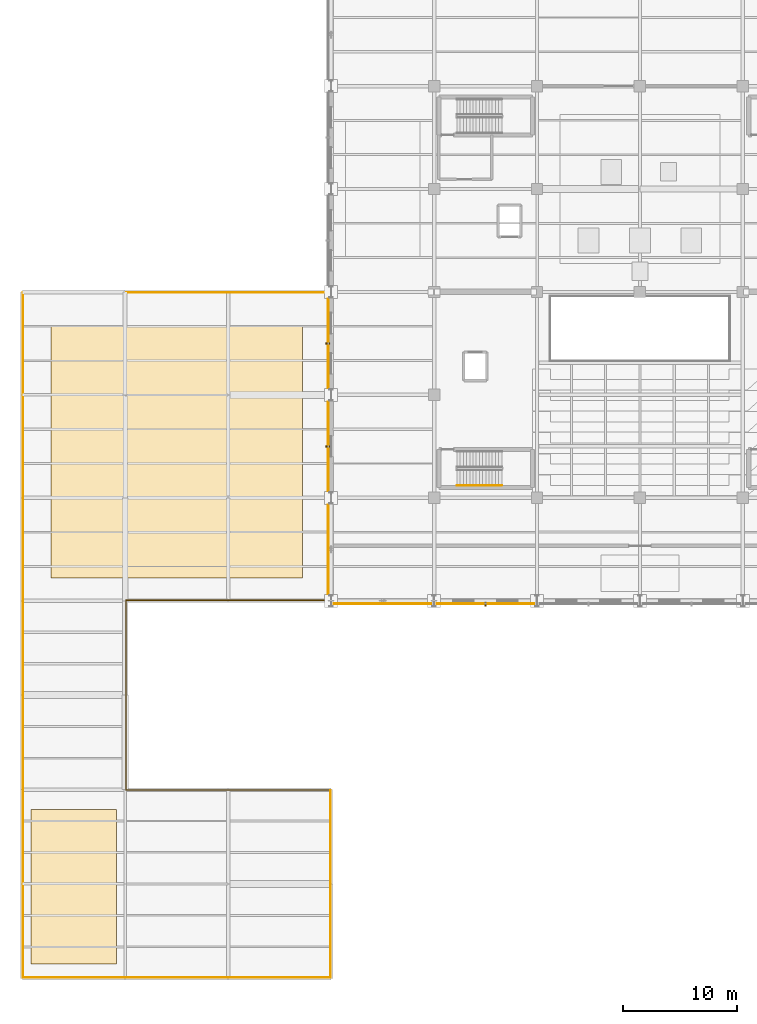
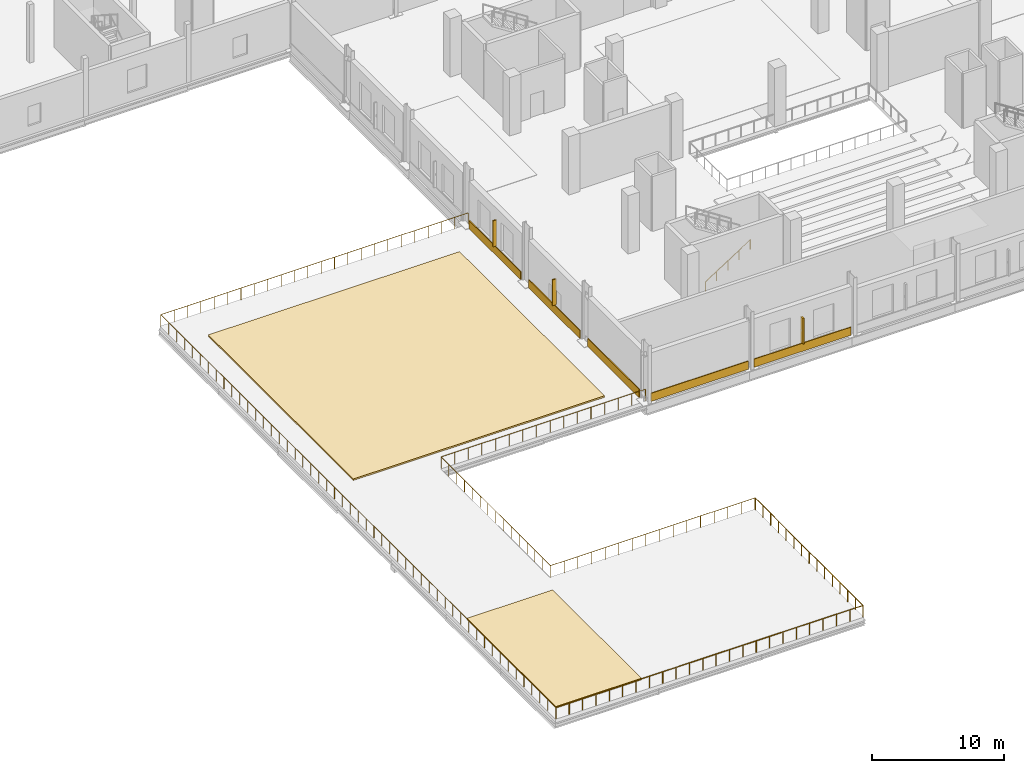
# One storey, part 129 of 141: 7 coverings, 4 railings, 3 shading devices.
"""IFC4 building model written with IfcOpenShell, lengths in metres."""

from ifc_helpers import new_model, si_unit, direction, frame, origin, origin_2d, place, context, subcontext, project, spatial, rectangle, circle, extrude, material, layer, layer_set, type_object, element, save


model = new_model("IFC4")

# Units and contexts
model_context = context("Model", 3, precision=1e-05, world=origin(), true_north=direction((0.0, 1.0)))
body_context = subcontext(model_context, "Body", "Model", "MODEL_VIEW")
ifc_project = project(units=[si_unit("LENGTHUNIT", "METRE"), si_unit("AREAUNIT", "SQUARE_METRE"), si_unit("VOLUMEUNIT", "CUBIC_METRE"), si_unit("PLANEANGLEUNIT", "RADIAN"), si_unit("MASSUNIT", "GRAM", prefix="KILO")], contexts=[model_context])

# Site, building, storey
site_placement = place(None, origin())
site = spatial("IfcSite", under=ifc_project, at=site_placement, CompositionType="ELEMENT")
building_placement = place(site_placement, origin())
building = spatial("IfcBuilding", under=site, at=building_placement, Name="Sundgate Opera House", CompositionType="ELEMENT")
storey_placement = place(building_placement, frame((0.0, 0.0, 11.39990234375)))
storey = spatial("IfcBuildingStorey", under=building, at=storey_placement, Name="L02", CompositionType="ELEMENT", Elevation=11.39990234375)

# Coverings
ifc_material_1 = material(Name="Intensive sedum green roof substrate and membrane", Category="masonry")
ifc_layer_1 = layer(ifc_material_1, 0.139892578125)
ifc_layer_set_1 = layer_set([ifc_layer_1], Name="Intensive sedum green roof substrate and membrane")
covering_type_1 = type_object("IfcCoveringType", Name="CV-ROOF-SEDUM", PredefinedType="ROOFING", material=ifc_layer_set_1)
covering_1_placement = place(storey_placement, frame((4.5, 8.0, 0.0), z_axis=(0.0, 0.0, 1.0), x_axis=(1.0, 0.0, 0.0)))
element("IfcCovering", 1, at=covering_1_placement, inside=storey, type_object=covering_type_1, Name="L02 Roof Covering CV0118", PredefinedType="ROOFING", context=body_context, shape_type="SweptSolid", body=[
    extrude(rectangle(XDim=7.5, YDim=13.5, at=origin_2d()), origin(), (0.0, 0.0, 1.0), 0.139892578125),
])
covering_2_placement = place(storey_placement, frame((13.5, 46.0, 0.0), z_axis=(0.0, 0.0, 1.0), x_axis=(1.0, 0.0, 0.0)))
element("IfcCovering", 2, at=covering_2_placement, inside=storey, type_object=covering_type_1, Name="L02 Roof Covering CV0119", PredefinedType="ROOFING", context=body_context, shape_type="SweptSolid", body=[
    extrude(rectangle(XDim=22.0, YDim=22.0, at=origin_2d()), origin(), (0.0, 0.0, 1.0), 0.139892578125),
])
ifc_material_2 = material(Name="Deep-carved Komstad limestone relief panel", Category="masonry")
ifc_layer_2 = layer(ifc_material_2, 0.094970703125)
ifc_layer_set_2 = layer_set([ifc_layer_2], Name="Deep-carved Komstad limestone relief panel")
covering_type_2 = type_object("IfcCoveringType", Name="CV-TRENC-DEEP", PredefinedType="CLADDING", material=ifc_layer_set_2)
covering_3_placement = place(storey_placement, frame((40.5, 32.742431640625, 0.045166015625), z_axis=(0.0, 0.0, 1.0), x_axis=(1.0, 0.0, 0.0)))
element("IfcCovering", 3, at=covering_3_placement, inside=storey, type_object=covering_type_2, Name="L02 Trencadis 750mm Relief Band CV0003", PredefinedType="CLADDING", context=body_context, shape_type="SweptSolid", body=[
    extrude(rectangle(XDim=8.510009765625, YDim=0.074951171875, at=origin_2d()), origin(), (0.0, 0.0, 1.0), 0.75),
])
covering_4_placement = place(storey_placement, frame((26.742431640625, 46.5, 0.045166015625), z_axis=(0.0, 0.0, 1.0), x_axis=(0.0, 1.0, 0.0)))
element("IfcCovering", 4, at=covering_4_placement, inside=storey, type_object=covering_type_2, Name="L02 Trencadis 750mm Relief Band CV0015", PredefinedType="CLADDING", context=body_context, shape_type="SweptSolid", body=[
    extrude(rectangle(XDim=7.81005859375, YDim=0.074951171875, at=origin_2d()), origin(), (0.0, 0.0, 1.0), 0.75),
])
ifc_material_3 = material(Name="Frost-proof vitrified stoneware trencadis relief tile", Category="masonry")
ifc_layer_3 = layer(ifc_material_3, 0.074951171875)
ifc_layer_set_3 = layer_set([ifc_layer_3], Name="Frost-proof vitrified stoneware trencadis relief tile")
covering_type_3 = type_object("IfcCoveringType", Name="CV-TRENC-RELIEF", PredefinedType="CLADDING", material=ifc_layer_set_3)
covering_5_placement = place(storey_placement, frame((31.5, 32.742431640625, 0.045166015625), z_axis=(0.0, 0.0, 1.0), x_axis=(1.0, 0.0, 0.0)))
element("IfcCovering", 5, at=covering_5_placement, inside=storey, type_object=covering_type_3, Name="L02 Trencadis 750mm Relief Band CV0001", PredefinedType="CLADDING", context=body_context, shape_type="SweptSolid", body=[
    extrude(rectangle(XDim=8.510009765625, YDim=0.074951171875, at=origin_2d()), origin(), (0.0, 0.0, 1.0), 0.75),
])
covering_6_placement = place(storey_placement, frame((26.742431640625, 37.5, 0.045166015625), z_axis=(0.0, 0.0, 1.0), x_axis=(0.0, 1.0, 0.0)))
element("IfcCovering", 6, at=covering_6_placement, inside=storey, type_object=covering_type_3, Name="L02 Trencadis 750mm Relief Band CV0013", PredefinedType="CLADDING", context=body_context, shape_type="SweptSolid", body=[
    extrude(rectangle(XDim=7.81005859375, YDim=0.074951171875, at=origin_2d()), origin(), (0.0, 0.0, 1.0), 0.75),
])
ifc_material_4 = material(Name="Polychrome trencadis mosaic panel", Category="masonry")
ifc_layer_4 = layer(ifc_material_4, 0.054931640625)
ifc_layer_set_4 = layer_set([ifc_layer_4], Name="Polychrome trencadis mosaic panel")
covering_type_4 = type_object("IfcCoveringType", Name="CV-TRENC-SLIM", PredefinedType="CLADDING", material=ifc_layer_set_4)
covering_7_placement = place(storey_placement, frame((26.742431640625, 55.5, 0.045166015625), z_axis=(0.0, 0.0, 1.0), x_axis=(0.0, 1.0, 0.0)))
element("IfcCovering", 7, at=covering_7_placement, inside=storey, type_object=covering_type_4, Name="L02 Trencadis 750mm Relief Band CV0017", PredefinedType="CLADDING", context=body_context, shape_type="SweptSolid", body=[
    extrude(rectangle(XDim=7.81005859375, YDim=0.074951171875, at=origin_2d()), origin(), (0.0, 0.0, 1.0), 0.75),
])

# Railings
ifc_material_5 = material(Name="Patinated bronze forja metalwork", Category="steel")
railing_type_1 = type_object("IfcRailingType", Name="RL-FORJA-BAL-1100", PredefinedType="BALUSTRADE", material=ifc_material_5)
railing_1_placement = place(storey_placement, frame((26.949951171875, 33.050048828125, 0.0)))
element("IfcRailing", 8, at=railing_1_placement, inside=storey, type_object=railing_type_1, Name="L02 Harbour Terrace Forja Balustrade RL0001", PredefinedType="BALUSTRADE", context=body_context, shape_type="SweptSolid", body=[
    extrude(circle(Radius=0.02392578125, at=origin_2d()), frame((0.0, 0.0, 1.076171875), z_axis=(-1.0, 0.0, 0.0), x_axis=(0.0, -1.0, 0.0)), (0.0, 0.0, 1.0), 17.89990234375),
    extrude(circle(Radius=0.02392578125, at=origin_2d()), frame((-17.89990234375, 0.0, 1.076171875), z_axis=(0.0, -1.0, 0.0), x_axis=(1.0, 0.0, 0.0)), (0.0, 0.0, 1.0), 16.60009765625),
    extrude(circle(Radius=0.02392578125, at=origin_2d()), frame((-17.89990234375, -16.60009765625, 1.076171875), z_axis=(1.0, 0.0, 0.0), x_axis=(0.0, 1.0, 0.0)), (0.0, 0.0, 1.0), 17.89990234375),
    extrude(circle(Radius=0.02099609375, at=origin_2d()), origin(), (0.0, 0.0, 1.0), 1.052001953125),
    extrude(circle(Radius=0.02099609375, at=origin_2d()), frame((-1.193359375, 0.0, 0.0)), (0.0, 0.0, 1.0), 1.052001953125),
    extrude(circle(Radius=0.02099609375, at=origin_2d()), frame((-2.38671875, 0.0, 0.0)), (0.0, 0.0, 1.0), 1.052001953125),
    extrude(circle(Radius=0.02099609375, at=origin_2d()), frame((-3.580078125, 0.0, 0.0)), (0.0, 0.0, 1.0), 1.052001953125),
    extrude(circle(Radius=0.02099609375, at=origin_2d()), frame((-4.773193359375, 0.0, 0.0)), (0.0, 0.0, 1.0), 1.052001953125),
    extrude(circle(Radius=0.02099609375, at=origin_2d()), frame((-5.966552734375, 0.0, 0.0)), (0.0, 0.0, 1.0), 1.052001953125),
    extrude(circle(Radius=0.02099609375, at=origin_2d()), frame((-7.159912109375, 0.0, 0.0)), (0.0, 0.0, 1.0), 1.052001953125),
    extrude(circle(Radius=0.02099609375, at=origin_2d()), frame((-8.353271484375, 0.0, 0.0)), (0.0, 0.0, 1.0), 1.052001953125),
    extrude(circle(Radius=0.02099609375, at=origin_2d()), frame((-9.546630859375, 0.0, 0.0)), (0.0, 0.0, 1.0), 1.052001953125),
    extrude(circle(Radius=0.02099609375, at=origin_2d()), frame((-10.739990234375, 0.0, 0.0)), (0.0, 0.0, 1.0), 1.052001953125),
    extrude(circle(Radius=0.02099609375, at=origin_2d()), frame((-11.933349609375, 0.0, 0.0)), (0.0, 0.0, 1.0), 1.052001953125),
    extrude(circle(Radius=0.02099609375, at=origin_2d()), frame((-13.126708984375, 0.0, 0.0)), (0.0, 0.0, 1.0), 1.052001953125),
    extrude(circle(Radius=0.02099609375, at=origin_2d()), frame((-14.31982421875, 0.0, 0.0)), (0.0, 0.0, 1.0), 1.052001953125),
    extrude(circle(Radius=0.02099609375, at=origin_2d()), frame((-15.51318359375, 0.0, 0.0)), (0.0, 0.0, 1.0), 1.052001953125),
    extrude(circle(Radius=0.02099609375, at=origin_2d()), frame((-16.70654296875, 0.0, 0.0)), (0.0, 0.0, 1.0), 1.052001953125),
    extrude(circle(Radius=0.02099609375, at=origin_2d()), frame((-17.89990234375, 0.0, 0.0)), (0.0, 0.0, 1.0), 1.052001953125),
    extrude(circle(Radius=0.02099609375, at=origin_2d()), frame((-17.89990234375, -1.185791015625, 0.0)), (0.0, 0.0, 1.0), 1.052001953125),
    extrude(circle(Radius=0.02099609375, at=origin_2d()), frame((-17.89990234375, -2.371337890625, 0.0)), (0.0, 0.0, 1.0), 1.052001953125),
    extrude(circle(Radius=0.02099609375, at=origin_2d()), frame((-17.89990234375, -3.55712890625, 0.0)), (0.0, 0.0, 1.0), 1.052001953125),
    extrude(circle(Radius=0.02099609375, at=origin_2d()), frame((-17.89990234375, -4.742919921875, 0.0)), (0.0, 0.0, 1.0), 1.052001953125),
    extrude(circle(Radius=0.02099609375, at=origin_2d()), frame((-17.89990234375, -5.9287109375, 0.0)), (0.0, 0.0, 1.0), 1.052001953125),
    extrude(circle(Radius=0.02099609375, at=origin_2d()), frame((-17.89990234375, -7.1142578125, 0.0)), (0.0, 0.0, 1.0), 1.052001953125),
    extrude(circle(Radius=0.02099609375, at=origin_2d()), frame((-17.89990234375, -8.300048828125, 0.0)), (0.0, 0.0, 1.0), 1.052001953125),
    extrude(circle(Radius=0.02099609375, at=origin_2d()), frame((-17.89990234375, -9.48583984375, 0.0)), (0.0, 0.0, 1.0), 1.052001953125),
    extrude(circle(Radius=0.02099609375, at=origin_2d()), frame((-17.89990234375, -10.67138671875, 0.0)), (0.0, 0.0, 1.0), 1.052001953125),
    extrude(circle(Radius=0.02099609375, at=origin_2d()), frame((-17.89990234375, -11.857177734375, 0.0)), (0.0, 0.0, 1.0), 1.052001953125),
    extrude(circle(Radius=0.02099609375, at=origin_2d()), frame((-17.89990234375, -13.04296875, 0.0)), (0.0, 0.0, 1.0), 1.052001953125),
    extrude(circle(Radius=0.02099609375, at=origin_2d()), frame((-17.89990234375, -14.228759765625, 0.0)), (0.0, 0.0, 1.0), 1.052001953125),
    extrude(circle(Radius=0.02099609375, at=origin_2d()), frame((-17.89990234375, -15.414306640625, 0.0)), (0.0, 0.0, 1.0), 1.052001953125),
    extrude(circle(Radius=0.02099609375, at=origin_2d()), frame((-17.89990234375, -16.60009765625, 0.0)), (0.0, 0.0, 1.0), 1.052001953125),
    extrude(circle(Radius=0.02099609375, at=origin_2d()), frame((-16.70654296875, -16.60009765625, 0.0)), (0.0, 0.0, 1.0), 1.052001953125),
    extrude(circle(Radius=0.02099609375, at=origin_2d()), frame((-15.51318359375, -16.60009765625, 0.0)), (0.0, 0.0, 1.0), 1.052001953125),
    extrude(circle(Radius=0.02099609375, at=origin_2d()), frame((-14.31982421875, -16.60009765625, 0.0)), (0.0, 0.0, 1.0), 1.052001953125),
    extrude(circle(Radius=0.02099609375, at=origin_2d()), frame((-13.126708984375, -16.60009765625, 0.0)), (0.0, 0.0, 1.0), 1.052001953125),
    extrude(circle(Radius=0.02099609375, at=origin_2d()), frame((-11.933349609375, -16.60009765625, 0.0)), (0.0, 0.0, 1.0), 1.052001953125),
    extrude(circle(Radius=0.02099609375, at=origin_2d()), frame((-10.739990234375, -16.60009765625, 0.0)), (0.0, 0.0, 1.0), 1.052001953125),
    extrude(circle(Radius=0.02099609375, at=origin_2d()), frame((-9.546630859375, -16.60009765625, 0.0)), (0.0, 0.0, 1.0), 1.052001953125),
    extrude(circle(Radius=0.02099609375, at=origin_2d()), frame((-8.353271484375, -16.60009765625, 0.0)), (0.0, 0.0, 1.0), 1.052001953125),
    extrude(circle(Radius=0.02099609375, at=origin_2d()), frame((-7.159912109375, -16.60009765625, 0.0)), (0.0, 0.0, 1.0), 1.052001953125),
    extrude(circle(Radius=0.02099609375, at=origin_2d()), frame((-5.966552734375, -16.60009765625, 0.0)), (0.0, 0.0, 1.0), 1.052001953125),
    extrude(circle(Radius=0.02099609375, at=origin_2d()), frame((-4.773193359375, -16.60009765625, 0.0)), (0.0, 0.0, 1.0), 1.052001953125),
    extrude(circle(Radius=0.02099609375, at=origin_2d()), frame((-3.580078125, -16.60009765625, 0.0)), (0.0, 0.0, 1.0), 1.052001953125),
    extrude(circle(Radius=0.02099609375, at=origin_2d()), frame((-2.38671875, -16.60009765625, 0.0)), (0.0, 0.0, 1.0), 1.052001953125),
    extrude(circle(Radius=0.02099609375, at=origin_2d()), frame((-1.193359375, -16.60009765625, 0.0)), (0.0, 0.0, 1.0), 1.052001953125),
    extrude(circle(Radius=0.02099609375, at=origin_2d()), frame((0.0, -16.60009765625, 0.0)), (0.0, 0.0, 1.0), 1.052001953125),
])
railing_2_placement = place(storey_placement, frame((26.949951171875, 16.39990234375, 0.0)))
element("IfcRailing", 9, at=railing_2_placement, inside=storey, type_object=railing_type_1, Name="L02 Harbour Terrace Forja Balustrade RL0002", PredefinedType="BALUSTRADE", context=body_context, shape_type="SweptSolid", body=[
    extrude(circle(Radius=0.02392578125, at=origin_2d()), frame((0.0, 0.0, 1.076171875), z_axis=(0.0, -1.0, 0.0), x_axis=(1.0, 0.0, 0.0)), (0.0, 0.0, 1.0), 16.349853515625),
    extrude(circle(Radius=0.02392578125, at=origin_2d()), frame((0.0, -16.349853515625, 1.076171875), z_axis=(-1.0, 0.0, 0.0), x_axis=(0.0, -1.0, 0.0)), (0.0, 0.0, 1.0), 26.89990234375),
    extrude(circle(Radius=0.02099609375, at=origin_2d()), origin(), (0.0, 0.0, 1.0), 1.052001953125),
    extrude(circle(Radius=0.02099609375, at=origin_2d()), frame((0.0, -1.16796875, 0.0)), (0.0, 0.0, 1.0), 1.052001953125),
    extrude(circle(Radius=0.02099609375, at=origin_2d()), frame((0.0, -2.335693359375, 0.0)), (0.0, 0.0, 1.0), 1.052001953125),
    extrude(circle(Radius=0.02099609375, at=origin_2d()), frame((0.0, -3.50341796875, 0.0)), (0.0, 0.0, 1.0), 1.052001953125),
    extrude(circle(Radius=0.02099609375, at=origin_2d()), frame((0.0, -4.67138671875, 0.0)), (0.0, 0.0, 1.0), 1.052001953125),
    extrude(circle(Radius=0.02099609375, at=origin_2d()), frame((0.0, -5.83935546875, 0.0)), (0.0, 0.0, 1.0), 1.052001953125),
    extrude(circle(Radius=0.02099609375, at=origin_2d()), frame((0.0, -7.007080078125, 0.0)), (0.0, 0.0, 1.0), 1.052001953125),
    extrude(circle(Radius=0.02099609375, at=origin_2d()), frame((0.0, -8.1748046875, 0.0)), (0.0, 0.0, 1.0), 1.052001953125),
    extrude(circle(Radius=0.02099609375, at=origin_2d()), frame((0.0, -9.3427734375, 0.0)), (0.0, 0.0, 1.0), 1.052001953125),
    extrude(circle(Radius=0.02099609375, at=origin_2d()), frame((0.0, -10.5107421875, 0.0)), (0.0, 0.0, 1.0), 1.052001953125),
    extrude(circle(Radius=0.02099609375, at=origin_2d()), frame((0.0, -11.678466796875, 0.0)), (0.0, 0.0, 1.0), 1.052001953125),
    extrude(circle(Radius=0.02099609375, at=origin_2d()), frame((0.0, -12.84619140625, 0.0)), (0.0, 0.0, 1.0), 1.052001953125),
    extrude(circle(Radius=0.02099609375, at=origin_2d()), frame((0.0, -14.01416015625, 0.0)), (0.0, 0.0, 1.0), 1.052001953125),
    extrude(circle(Radius=0.02099609375, at=origin_2d()), frame((0.0, -15.18212890625, 0.0)), (0.0, 0.0, 1.0), 1.052001953125),
    extrude(circle(Radius=0.02099609375, at=origin_2d()), frame((0.0, -16.349853515625, 0.0)), (0.0, 0.0, 1.0), 1.052001953125),
    extrude(circle(Radius=0.02099609375, at=origin_2d()), frame((-1.169677734375, -16.349853515625, 0.0)), (0.0, 0.0, 1.0), 1.052001953125),
    extrude(circle(Radius=0.02099609375, at=origin_2d()), frame((-2.339111328125, -16.349853515625, 0.0)), (0.0, 0.0, 1.0), 1.052001953125),
    extrude(circle(Radius=0.02099609375, at=origin_2d()), frame((-3.5087890625, -16.349853515625, 0.0)), (0.0, 0.0, 1.0), 1.052001953125),
    extrude(circle(Radius=0.02099609375, at=origin_2d()), frame((-4.67822265625, -16.349853515625, 0.0)), (0.0, 0.0, 1.0), 1.052001953125),
    extrude(circle(Radius=0.02099609375, at=origin_2d()), frame((-5.847900390625, -16.349853515625, 0.0)), (0.0, 0.0, 1.0), 1.052001953125),
    extrude(circle(Radius=0.02099609375, at=origin_2d()), frame((-7.017333984375, -16.349853515625, 0.0)), (0.0, 0.0, 1.0), 1.052001953125),
    extrude(circle(Radius=0.02099609375, at=origin_2d()), frame((-8.18701171875, -16.349853515625, 0.0)), (0.0, 0.0, 1.0), 1.052001953125),
    extrude(circle(Radius=0.02099609375, at=origin_2d()), frame((-9.3564453125, -16.349853515625, 0.0)), (0.0, 0.0, 1.0), 1.052001953125),
    extrude(circle(Radius=0.02099609375, at=origin_2d()), frame((-10.526123046875, -16.349853515625, 0.0)), (0.0, 0.0, 1.0), 1.052001953125),
    extrude(circle(Radius=0.02099609375, at=origin_2d()), frame((-11.695556640625, -16.349853515625, 0.0)), (0.0, 0.0, 1.0), 1.052001953125),
    extrude(circle(Radius=0.02099609375, at=origin_2d()), frame((-12.865234375, -16.349853515625, 0.0)), (0.0, 0.0, 1.0), 1.052001953125),
    extrude(circle(Radius=0.02099609375, at=origin_2d()), frame((-14.03466796875, -16.349853515625, 0.0)), (0.0, 0.0, 1.0), 1.052001953125),
    extrude(circle(Radius=0.02099609375, at=origin_2d()), frame((-15.204345703125, -16.349853515625, 0.0)), (0.0, 0.0, 1.0), 1.052001953125),
    extrude(circle(Radius=0.02099609375, at=origin_2d()), frame((-16.373779296875, -16.349853515625, 0.0)), (0.0, 0.0, 1.0), 1.052001953125),
    extrude(circle(Radius=0.02099609375, at=origin_2d()), frame((-17.54345703125, -16.349853515625, 0.0)), (0.0, 0.0, 1.0), 1.052001953125),
    extrude(circle(Radius=0.02099609375, at=origin_2d()), frame((-18.712890625, -16.349853515625, 0.0)), (0.0, 0.0, 1.0), 1.052001953125),
    extrude(circle(Radius=0.02099609375, at=origin_2d()), frame((-19.882568359375, -16.349853515625, 0.0)), (0.0, 0.0, 1.0), 1.052001953125),
    extrude(circle(Radius=0.02099609375, at=origin_2d()), frame((-21.052001953125, -16.349853515625, 0.0)), (0.0, 0.0, 1.0), 1.052001953125),
    extrude(circle(Radius=0.02099609375, at=origin_2d()), frame((-22.2216796875, -16.349853515625, 0.0)), (0.0, 0.0, 1.0), 1.052001953125),
    extrude(circle(Radius=0.02099609375, at=origin_2d()), frame((-23.39111328125, -16.349853515625, 0.0)), (0.0, 0.0, 1.0), 1.052001953125),
    extrude(circle(Radius=0.02099609375, at=origin_2d()), frame((-24.560791015625, -16.349853515625, 0.0)), (0.0, 0.0, 1.0), 1.052001953125),
    extrude(circle(Radius=0.02099609375, at=origin_2d()), frame((-25.730224609375, -16.349853515625, 0.0)), (0.0, 0.0, 1.0), 1.052001953125),
    extrude(circle(Radius=0.02099609375, at=origin_2d()), frame((-26.89990234375, -16.349853515625, 0.0)), (0.0, 0.0, 1.0), 1.052001953125),
])
railing_3_placement = place(storey_placement, frame((0.050048828125, 0.10009765625, 0.0)))
element("IfcRailing", 10, at=railing_3_placement, inside=storey, type_object=railing_type_1, Name="L02 Harbour Terrace Forja Balustrade RL0003", PredefinedType="BALUSTRADE", context=body_context, shape_type="SweptSolid", body=[
    extrude(circle(Radius=0.02392578125, at=origin_2d()), frame((0.0, 0.0, 1.076171875), z_axis=(0.0, 1.0, 0.0), x_axis=(-1.0, 0.0, 0.0)), (0.0, 0.0, 1.0), 59.849853515625),
    extrude(circle(Radius=0.02392578125, at=origin_2d()), frame((0.0, 59.849853515625, 1.076171875), z_axis=(1.0, 0.0, 0.0), x_axis=(0.0, 1.0, 0.0)), (0.0, 0.0, 1.0), 26.89990234375),
    extrude(circle(Radius=0.02099609375, at=origin_2d()), origin(), (0.0, 0.0, 1.0), 1.052001953125),
    extrude(circle(Radius=0.02099609375, at=origin_2d()), frame((0.0, 1.197021484375, 0.0)), (0.0, 0.0, 1.0), 1.052001953125),
    extrude(circle(Radius=0.02099609375, at=origin_2d()), frame((0.0, 2.39404296875, 0.0)), (0.0, 0.0, 1.0), 1.052001953125),
    extrude(circle(Radius=0.02099609375, at=origin_2d()), frame((0.0, 3.591064453125, 0.0)), (0.0, 0.0, 1.0), 1.052001953125),
    extrude(circle(Radius=0.02099609375, at=origin_2d()), frame((0.0, 4.7880859375, 0.0)), (0.0, 0.0, 1.0), 1.052001953125),
    extrude(circle(Radius=0.02099609375, at=origin_2d()), frame((0.0, 5.98486328125, 0.0)), (0.0, 0.0, 1.0), 1.052001953125),
    extrude(circle(Radius=0.02099609375, at=origin_2d()), frame((0.0, 7.181884765625, 0.0)), (0.0, 0.0, 1.0), 1.052001953125),
    extrude(circle(Radius=0.02099609375, at=origin_2d()), frame((0.0, 8.37890625, 0.0)), (0.0, 0.0, 1.0), 1.052001953125),
    extrude(circle(Radius=0.02099609375, at=origin_2d()), frame((0.0, 9.575927734375, 0.0)), (0.0, 0.0, 1.0), 1.052001953125),
    extrude(circle(Radius=0.02099609375, at=origin_2d()), frame((0.0, 10.77294921875, 0.0)), (0.0, 0.0, 1.0), 1.052001953125),
    extrude(circle(Radius=0.02099609375, at=origin_2d()), frame((0.0, 11.969970703125, 0.0)), (0.0, 0.0, 1.0), 1.052001953125),
    extrude(circle(Radius=0.02099609375, at=origin_2d()), frame((0.0, 13.1669921875, 0.0)), (0.0, 0.0, 1.0), 1.052001953125),
    extrude(circle(Radius=0.02099609375, at=origin_2d()), frame((0.0, 14.364013671875, 0.0)), (0.0, 0.0, 1.0), 1.052001953125),
    extrude(circle(Radius=0.02099609375, at=origin_2d()), frame((0.0, 15.56103515625, 0.0)), (0.0, 0.0, 1.0), 1.052001953125),
    extrude(circle(Radius=0.02099609375, at=origin_2d()), frame((0.0, 16.758056640625, 0.0)), (0.0, 0.0, 1.0), 1.052001953125),
    extrude(circle(Radius=0.02099609375, at=origin_2d()), frame((0.0, 17.955078125, 0.0)), (0.0, 0.0, 1.0), 1.052001953125),
    extrude(circle(Radius=0.02099609375, at=origin_2d()), frame((0.0, 19.15185546875, 0.0)), (0.0, 0.0, 1.0), 1.052001953125),
    extrude(circle(Radius=0.02099609375, at=origin_2d()), frame((0.0, 20.348876953125, 0.0)), (0.0, 0.0, 1.0), 1.052001953125),
    extrude(circle(Radius=0.02099609375, at=origin_2d()), frame((0.0, 21.5458984375, 0.0)), (0.0, 0.0, 1.0), 1.052001953125),
    extrude(circle(Radius=0.02099609375, at=origin_2d()), frame((0.0, 22.742919921875, 0.0)), (0.0, 0.0, 1.0), 1.052001953125),
    extrude(circle(Radius=0.02099609375, at=origin_2d()), frame((0.0, 23.93994140625, 0.0)), (0.0, 0.0, 1.0), 1.052001953125),
    extrude(circle(Radius=0.02099609375, at=origin_2d()), frame((0.0, 25.136962890625, 0.0)), (0.0, 0.0, 1.0), 1.052001953125),
    extrude(circle(Radius=0.02099609375, at=origin_2d()), frame((0.0, 26.333984375, 0.0)), (0.0, 0.0, 1.0), 1.052001953125),
    extrude(circle(Radius=0.02099609375, at=origin_2d()), frame((0.0, 27.531005859375, 0.0)), (0.0, 0.0, 1.0), 1.052001953125),
    extrude(circle(Radius=0.02099609375, at=origin_2d()), frame((0.0, 28.72802734375, 0.0)), (0.0, 0.0, 1.0), 1.052001953125),
    extrude(circle(Radius=0.02099609375, at=origin_2d()), frame((0.0, 29.9248046875, 0.0)), (0.0, 0.0, 1.0), 1.052001953125),
    extrude(circle(Radius=0.02099609375, at=origin_2d()), frame((0.0, 31.121826171875, 0.0)), (0.0, 0.0, 1.0), 1.052001953125),
    extrude(circle(Radius=0.02099609375, at=origin_2d()), frame((0.0, 32.31884765625, 0.0)), (0.0, 0.0, 1.0), 1.052001953125),
    extrude(circle(Radius=0.02099609375, at=origin_2d()), frame((0.0, 33.515869140625, 0.0)), (0.0, 0.0, 1.0), 1.052001953125),
    extrude(circle(Radius=0.02099609375, at=origin_2d()), frame((0.0, 34.712890625, 0.0)), (0.0, 0.0, 1.0), 1.052001953125),
    extrude(circle(Radius=0.02099609375, at=origin_2d()), frame((0.0, 35.909912109375, 0.0)), (0.0, 0.0, 1.0), 1.052001953125),
    extrude(circle(Radius=0.02099609375, at=origin_2d()), frame((0.0, 37.10693359375, 0.0)), (0.0, 0.0, 1.0), 1.052001953125),
    extrude(circle(Radius=0.02099609375, at=origin_2d()), frame((0.0, 38.303955078125, 0.0)), (0.0, 0.0, 1.0), 1.052001953125),
    extrude(circle(Radius=0.02099609375, at=origin_2d()), frame((0.0, 39.5009765625, 0.0)), (0.0, 0.0, 1.0), 1.052001953125),
    extrude(circle(Radius=0.02099609375, at=origin_2d()), frame((0.0, 40.697998046875, 0.0)), (0.0, 0.0, 1.0), 1.052001953125),
    extrude(circle(Radius=0.02099609375, at=origin_2d()), frame((0.0, 41.89501953125, 0.0)), (0.0, 0.0, 1.0), 1.052001953125),
    extrude(circle(Radius=0.02099609375, at=origin_2d()), frame((0.0, 43.091796875, 0.0)), (0.0, 0.0, 1.0), 1.052001953125),
    extrude(circle(Radius=0.02099609375, at=origin_2d()), frame((0.0, 44.288818359375, 0.0)), (0.0, 0.0, 1.0), 1.052001953125),
    extrude(circle(Radius=0.02099609375, at=origin_2d()), frame((0.0, 45.48583984375, 0.0)), (0.0, 0.0, 1.0), 1.052001953125),
    extrude(circle(Radius=0.02099609375, at=origin_2d()), frame((0.0, 46.682861328125, 0.0)), (0.0, 0.0, 1.0), 1.052001953125),
    extrude(circle(Radius=0.02099609375, at=origin_2d()), frame((0.0, 47.8798828125, 0.0)), (0.0, 0.0, 1.0), 1.052001953125),
    extrude(circle(Radius=0.02099609375, at=origin_2d()), frame((0.0, 49.076904296875, 0.0)), (0.0, 0.0, 1.0), 1.052001953125),
    extrude(circle(Radius=0.02099609375, at=origin_2d()), frame((0.0, 50.27392578125, 0.0)), (0.0, 0.0, 1.0), 1.052001953125),
    extrude(circle(Radius=0.02099609375, at=origin_2d()), frame((0.0, 51.470947265625, 0.0)), (0.0, 0.0, 1.0), 1.052001953125),
    extrude(circle(Radius=0.02099609375, at=origin_2d()), frame((0.0, 52.66796875, 0.0)), (0.0, 0.0, 1.0), 1.052001953125),
    extrude(circle(Radius=0.02099609375, at=origin_2d()), frame((0.0, 53.86474609375, 0.0)), (0.0, 0.0, 1.0), 1.052001953125),
    extrude(circle(Radius=0.02099609375, at=origin_2d()), frame((0.0, 55.061767578125, 0.0)), (0.0, 0.0, 1.0), 1.052001953125),
    extrude(circle(Radius=0.02099609375, at=origin_2d()), frame((0.0, 56.2587890625, 0.0)), (0.0, 0.0, 1.0), 1.052001953125),
    extrude(circle(Radius=0.02099609375, at=origin_2d()), frame((0.0, 57.455810546875, 0.0)), (0.0, 0.0, 1.0), 1.052001953125),
    extrude(circle(Radius=0.02099609375, at=origin_2d()), frame((0.0, 58.65283203125, 0.0)), (0.0, 0.0, 1.0), 1.052001953125),
    extrude(circle(Radius=0.02099609375, at=origin_2d()), frame((0.0, 59.849853515625, 0.0)), (0.0, 0.0, 1.0), 1.052001953125),
    extrude(circle(Radius=0.02099609375, at=origin_2d()), frame((1.169677734375, 59.849853515625, 0.0)), (0.0, 0.0, 1.0), 1.052001953125),
    extrude(circle(Radius=0.02099609375, at=origin_2d()), frame((2.339111328125, 59.849853515625, 0.0)), (0.0, 0.0, 1.0), 1.052001953125),
    extrude(circle(Radius=0.02099609375, at=origin_2d()), frame((3.5087890625, 59.849853515625, 0.0)), (0.0, 0.0, 1.0), 1.052001953125),
    extrude(circle(Radius=0.02099609375, at=origin_2d()), frame((4.67822265625, 59.849853515625, 0.0)), (0.0, 0.0, 1.0), 1.052001953125),
    extrude(circle(Radius=0.02099609375, at=origin_2d()), frame((5.847900390625, 59.849853515625, 0.0)), (0.0, 0.0, 1.0), 1.052001953125),
    extrude(circle(Radius=0.02099609375, at=origin_2d()), frame((7.017333984375, 59.849853515625, 0.0)), (0.0, 0.0, 1.0), 1.052001953125),
    extrude(circle(Radius=0.02099609375, at=origin_2d()), frame((8.18701171875, 59.849853515625, 0.0)), (0.0, 0.0, 1.0), 1.052001953125),
    extrude(circle(Radius=0.02099609375, at=origin_2d()), frame((9.3564453125, 59.849853515625, 0.0)), (0.0, 0.0, 1.0), 1.052001953125),
    extrude(circle(Radius=0.02099609375, at=origin_2d()), frame((10.526123046875, 59.849853515625, 0.0)), (0.0, 0.0, 1.0), 1.052001953125),
    extrude(circle(Radius=0.02099609375, at=origin_2d()), frame((11.695556640625, 59.849853515625, 0.0)), (0.0, 0.0, 1.0), 1.052001953125),
    extrude(circle(Radius=0.02099609375, at=origin_2d()), frame((12.865234375, 59.849853515625, 0.0)), (0.0, 0.0, 1.0), 1.052001953125),
    extrude(circle(Radius=0.02099609375, at=origin_2d()), frame((14.03466796875, 59.849853515625, 0.0)), (0.0, 0.0, 1.0), 1.052001953125),
    extrude(circle(Radius=0.02099609375, at=origin_2d()), frame((15.204345703125, 59.849853515625, 0.0)), (0.0, 0.0, 1.0), 1.052001953125),
    extrude(circle(Radius=0.02099609375, at=origin_2d()), frame((16.373779296875, 59.849853515625, 0.0)), (0.0, 0.0, 1.0), 1.052001953125),
    extrude(circle(Radius=0.02099609375, at=origin_2d()), frame((17.54345703125, 59.849853515625, 0.0)), (0.0, 0.0, 1.0), 1.052001953125),
    extrude(circle(Radius=0.02099609375, at=origin_2d()), frame((18.712890625, 59.849853515625, 0.0)), (0.0, 0.0, 1.0), 1.052001953125),
    extrude(circle(Radius=0.02099609375, at=origin_2d()), frame((19.882568359375, 59.849853515625, 0.0)), (0.0, 0.0, 1.0), 1.052001953125),
    extrude(circle(Radius=0.02099609375, at=origin_2d()), frame((21.052001953125, 59.849853515625, 0.0)), (0.0, 0.0, 1.0), 1.052001953125),
    extrude(circle(Radius=0.02099609375, at=origin_2d()), frame((22.2216796875, 59.849853515625, 0.0)), (0.0, 0.0, 1.0), 1.052001953125),
    extrude(circle(Radius=0.02099609375, at=origin_2d()), frame((23.39111328125, 59.849853515625, 0.0)), (0.0, 0.0, 1.0), 1.052001953125),
    extrude(circle(Radius=0.02099609375, at=origin_2d()), frame((24.560791015625, 59.849853515625, 0.0)), (0.0, 0.0, 1.0), 1.052001953125),
    extrude(circle(Radius=0.02099609375, at=origin_2d()), frame((25.730224609375, 59.849853515625, 0.0)), (0.0, 0.0, 1.0), 1.052001953125),
    extrude(circle(Radius=0.02099609375, at=origin_2d()), frame((26.89990234375, 59.849853515625, 0.0)), (0.0, 0.0, 1.0), 1.052001953125),
])
ifc_material_6 = material(Name="Brushed stainless steel handrail", Category="steel")
railing_type_2 = type_object("IfcRailingType", Name="RL-STAIR-HAND-900", PredefinedType="HANDRAIL", material=ifc_material_6)
railing_4_placement = place(storey_placement, frame((38.0, 43.10009765625, 0.18017578125)))
element("IfcRailing", 11, at=railing_4_placement, inside=storey, type_object=railing_type_2, Name="ST01L02 Handrail RL0032", PredefinedType="HANDRAIL", context=body_context, shape_type="SweptSolid", body=[
    extrude(circle(Radius=0.02392578125, at=origin_2d()), frame((0.0, 0.0, 0.8759765625), z_axis=(0.841171666519, 0.0, 0.540768182723), x_axis=(0.0, 1.0, 0.0)), (0.0, 0.0, 1.0), 4.66015625),
    extrude(circle(Radius=0.02099609375, at=origin_2d()), origin(), (0.0, 0.0, 1.0), 0.851806640625),
    extrude(circle(Radius=0.02099609375, at=origin_2d()), frame((0.97998046875, 0.0, 0.6298828125)), (0.0, 0.0, 1.0), 0.851806640625),
    extrude(circle(Radius=0.02099609375, at=origin_2d()), frame((1.9599609375, 0.0, 1.260009765625)), (0.0, 0.0, 1.0), 0.851806640625),
    extrude(circle(Radius=0.02099609375, at=origin_2d()), frame((2.93994140625, 0.0, 1.89013671875)), (0.0, 0.0, 1.0), 0.851806640625),
    extrude(circle(Radius=0.02099609375, at=origin_2d()), frame((3.919921875, 0.0, 2.52001953125)), (0.0, 0.0, 1.0), 0.851806640625),
])

# Shading devices
ifc_material_7 = material(Name="Frost-proof vitrified stoneware ceramic fin", Category="masonry")
shading_device_type_1 = type_object("IfcShadingDeviceType", Name="SD-CERAMIC-FIN", PredefinedType="JALOUSIE", material=ifc_material_7)
shading_device_1_placement = place(storey_placement, frame((26.719970703125, 55.5, 0.800048828125), z_axis=(0.0, 0.0, 1.0), x_axis=(1.0, 0.0, 0.0)))
element("IfcShadingDevice", 12, at=shading_device_1_placement, inside=storey, type_object=shading_device_type_1, Name="L02 Ceramic Brise-Soleil Fin SD0006", PredefinedType="JALOUSIE", context=body_context, shape_type="SweptSolid", body=[
    extrude(rectangle(XDim=0.35009765625, YDim=0.1201171875, at=origin_2d()), origin(), (0.0, 0.0, 1.0), 2.39990234375),
])
ifc_material_8 = material(Name="Glazed ceramic acoustic sun louvre", Category="masonry")
shading_device_type_2 = type_object("IfcShadingDeviceType", Name="SD-CERAMIC-LOUVRE", PredefinedType="JALOUSIE", material=ifc_material_8)
shading_device_2_placement = place(storey_placement, frame((40.5, 32.719970703125, 0.800048828125), z_axis=(0.0, 0.0, 1.0), x_axis=(1.0, 0.0, 0.0)))
element("IfcShadingDevice", 13, at=shading_device_2_placement, inside=storey, type_object=shading_device_type_2, Name="L02 Ceramic Brise-Soleil Fin SD0001", PredefinedType="JALOUSIE", context=body_context, shape_type="SweptSolid", body=[
    extrude(rectangle(XDim=0.1201171875, YDim=0.35009765625, at=origin_2d()), origin(), (0.0, 0.0, 1.0), 2.39990234375),
])
shading_device_3_placement = place(storey_placement, frame((26.719970703125, 46.5, 0.800048828125), z_axis=(0.0, 0.0, 1.0), x_axis=(1.0, 0.0, 0.0)))
element("IfcShadingDevice", 14, at=shading_device_3_placement, inside=storey, type_object=shading_device_type_2, Name="L02 Ceramic Brise-Soleil Fin SD0005", PredefinedType="JALOUSIE", context=body_context, shape_type="SweptSolid", body=[
    extrude(rectangle(XDim=0.35009765625, YDim=0.1201171875, at=origin_2d()), origin(), (0.0, 0.0, 1.0), 2.39990234375),
])

save(model, "model.ifc")
